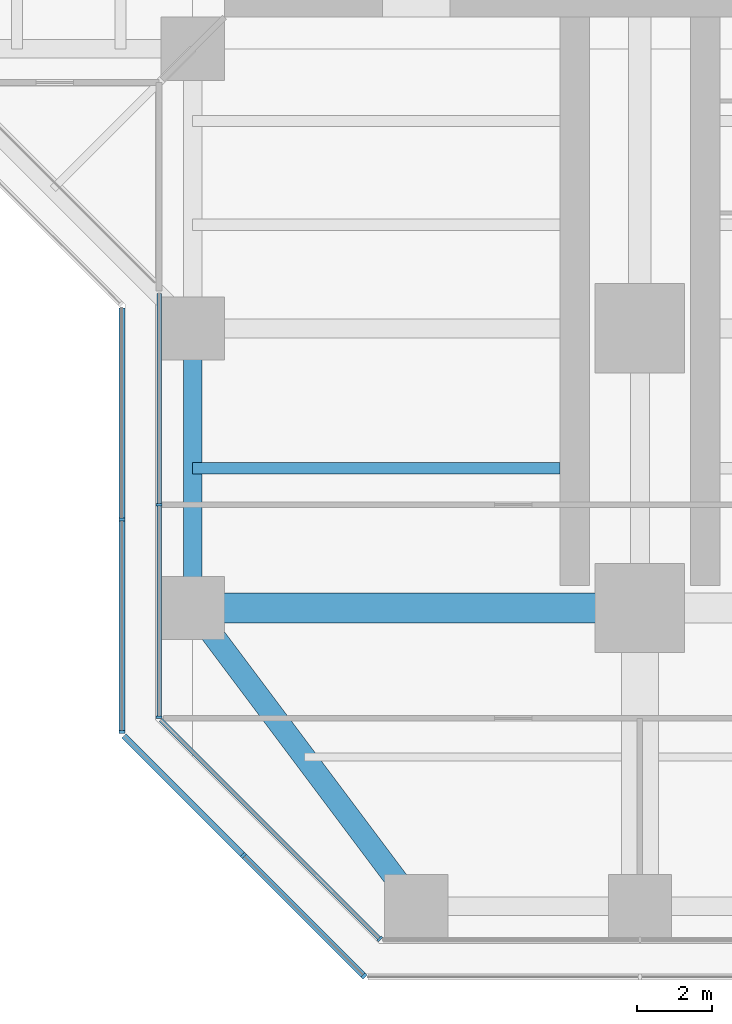
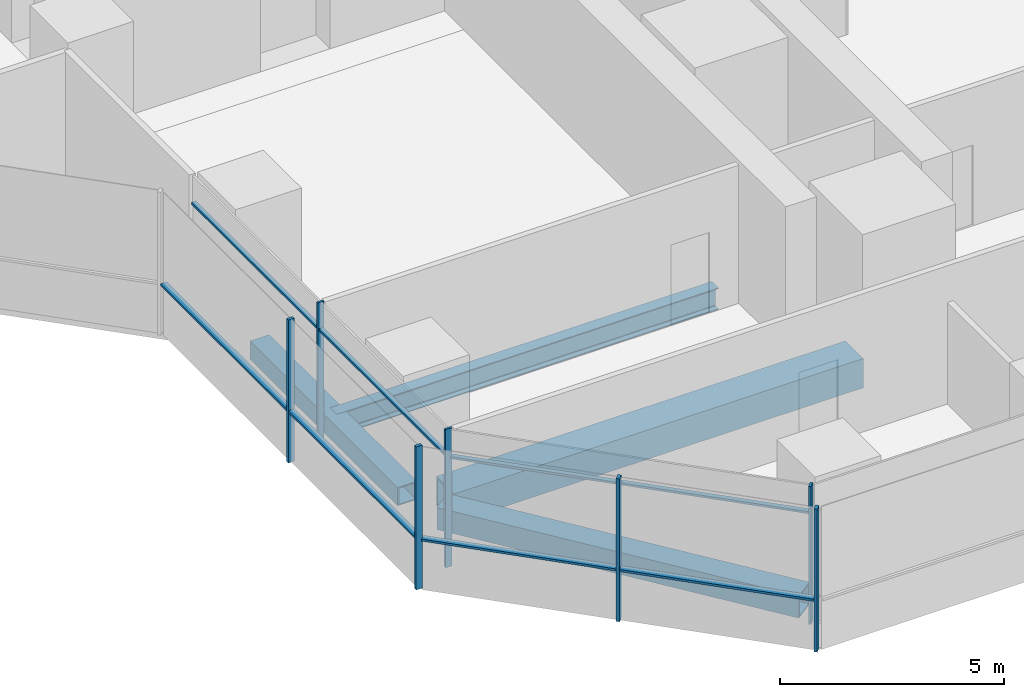
# One storey, part 2 of 22: 14 members, 4 beams, 4 elements without a shape of their own.
"""IFC4 building model written with IfcOpenShell, lengths in metres."""

from ifc_helpers import new_model, si_unit, direction, frame, origin, origin_2d, place, context, subcontext, project, spatial, rectangle, hollow_rectangle, i_section, extrude, material, material_profile, profile_set, type_object, element, aggregate, save


model = new_model("IFC4")

# Units and contexts
model_context = context("Model", 3, precision=1e-05, world=origin(), true_north=direction((0.0, 1.0)))
body_context = subcontext(model_context, "Body", "Model", "MODEL_VIEW")
ifc_project = project(units=[si_unit("LENGTHUNIT", "METRE"), si_unit("AREAUNIT", "SQUARE_METRE"), si_unit("VOLUMEUNIT", "CUBIC_METRE"), si_unit("PLANEANGLEUNIT", "RADIAN"), si_unit("MASSUNIT", "GRAM", prefix="KILO")], contexts=[model_context])

# Site, building, storey
site_placement = place(None, origin())
site = spatial("IfcSite", under=ifc_project, at=site_placement, CompositionType="ELEMENT")
building_placement = place(site_placement, origin())
building = spatial("IfcBuilding", under=site, at=building_placement, Name="Mizan Broadcast Tower", CompositionType="ELEMENT")
storey_placement = place(building_placement, frame((0.0, 0.0, 86.39990234375)))
storey = spatial("IfcBuildingStorey", under=building, at=storey_placement, Name="L18", CompositionType="ELEMENT", Elevation=86.39990234375)

# Beams
ifc_material_1 = material(Name="Steel S355", Category="steel")
ifc_material_profile_1 = material_profile(ifc_material_1, hollow_rectangle(XDim=0.5, YDim=0.5, WallThickness=0.030029296875, at=origin_2d()), Name="BOX 500x500x30")
ifc_profile_set_1 = profile_set([ifc_material_profile_1], Name="Steel S355")
beam_type_1 = type_object("IfcBeamType", Name="EDGE BEAM BOX 500x500x30", PredefinedType="SPANDREL", material=ifc_profile_set_1)
beam_1_placement = place(storey_placement, frame((-12.0, -19.949951171875, -0.3798828125), z_axis=(0.0, -1.0, 0.0), x_axis=(1.0, 0.0, 0.0)))
element("IfcBeam", 1, at=beam_1_placement, inside=storey, type_object=beam_type_1, Name="Edge beam BOX 500x500x30 L18 south arm", PredefinedType="SPANDREL", context=body_context, shape_type="SweptSolid", body=[
    extrude(hollow_rectangle(XDim=0.5, YDim=0.5, WallThickness=0.030029296875, at=origin_2d()), origin(), (0.0, 0.0, 1.0), 6.60009765625),
])
ifc_material_2 = material(Name="Steel S355", Category="steel")
ifc_material_profile_2 = material_profile(ifc_material_2, hollow_rectangle(XDim=0.60009765625, YDim=0.60009765625, WallThickness=0.030029296875, at=origin_2d()), Name="BOX 600x600x30")
ifc_profile_set_2 = profile_set([ifc_material_profile_2], Name="Steel S355")
beam_type_2 = type_object("IfcBeamType", Name="EDGE BEAM BOX 600x600x30", PredefinedType="SPANDREL", material=ifc_profile_set_2)
beam_2_placement = place(storey_placement, frame((-11.639892578125, -27.47998046875, -0.429931640625), z_axis=(0.599982243973, -0.800013316712, 0.0), x_axis=(0.800013316712, 0.599982243973, 0.0)))
element("IfcBeam", 2, at=beam_2_placement, inside=storey, type_object=beam_type_2, Name="Edge beam BOX 600x600x30 L18 south arm", PredefinedType="SPANDREL", context=body_context, shape_type="SweptSolid", body=[
    extrude(hollow_rectangle(XDim=0.60009765625, YDim=0.60009765625, WallThickness=0.030029296875, at=origin_2d()), origin(), (0.0, 0.0, 1.0), 8.7998046875),
])
ifc_material_3 = material(Name="Steel S460", Category="steel")
ifc_material_profile_3 = material_profile(ifc_material_3, hollow_rectangle(XDim=0.800048828125, YDim=0.800048828125, WallThickness=0.050048828125, at=origin_2d()), Name="BOX 800x800x50")
ifc_profile_set_3 = profile_set([ifc_material_profile_3], Name="Steel S460")
beam_type_3 = type_object("IfcBeamType", Name="GIRDER BOX 800x800x50", PredefinedType="BEAM", material=ifc_profile_set_3)
beam_3_placement = place(storey_placement, frame((-11.280029296875, -27.0, -0.52978515625), z_axis=(1.0, 0.0, 0.0), x_axis=(0.0, 1.0, 0.0)))
element("IfcBeam", 3, at=beam_3_placement, inside=storey, type_object=beam_type_3, Name="Girder BOX 800x800x50 L18 south arm", PredefinedType="BEAM", context=body_context, shape_type="SweptSolid", body=[
    extrude(hollow_rectangle(XDim=0.800048828125, YDim=0.800048828125, WallThickness=0.050048828125, at=origin_2d()), origin(), (0.0, 0.0, 1.0), 10.56005859375),
])

# Curtain wall, members
ifc_material_4 = material(Name="Aluminium framed glazing", Category="aluminium")
curtain_wall_type_1 = type_object("IfcCurtainWallType", Name="INNER SKIN LOW ZONE", PredefinedType="USERDEFINED", material=ifc_material_4)
curtain_wall_1_placement = place(storey_placement, origin())
curtain_wall_1 = element("IfcCurtainWall", 4, at=curtain_wall_1_placement, inside=storey, type_object=curtain_wall_type_1, Name="Inner skin low zone L18 S side", ObjectType="INNER SKIN LOW ZONE", PredefinedType="USERDEFINED")
ifc_material_5 = material(Name="Aluminium, pale anodised", Category="aluminium")
ifc_material_profile_4 = material_profile(ifc_material_5, rectangle(XDim=0.159912109375, YDim=0.06005859375, at=origin_2d()), Name="MULLION 160x60")
ifc_profile_set_4 = profile_set([ifc_material_profile_4], Name="Aluminium, pale anodised")
member_type_1 = type_object("IfcMemberType", Name="INNER SKIN MULLION 60x160", PredefinedType="MULLION", material=ifc_profile_set_4)
member_1_placement = place(storey_placement, frame((-12.89990234375, -24.229248046875, 0.0), z_axis=(0.0, 0.0, 1.0), x_axis=(1.0, 0.0, 0.0)))
member_1 = element("IfcMember", 5, at=member_1_placement, type_object=member_type_1, Name="Inner skin low zone L18 S side mullion 2", PredefinedType="MULLION", context=body_context, shape_type="SweptSolid", body=[
    extrude(rectangle(XDim=0.159912109375, YDim=0.06005859375, at=origin_2d()), origin(), (0.0, 0.0, 1.0), 3.77001953125),
])
member_2_placement = place(storey_placement, frame((-12.89990234375, -29.928466796875, 0.0), z_axis=(0.0, 0.0, 1.0), x_axis=(1.0, 0.0, 0.0)))
member_2 = element("IfcMember", 6, at=member_2_placement, type_object=member_type_1, Name="Inner skin low zone L18 S side mullion 3", PredefinedType="MULLION", context=body_context, shape_type="SweptSolid", body=[
    extrude(rectangle(XDim=0.159912109375, YDim=0.06005859375, at=origin_2d()), origin(), (0.0, 0.0, 1.0), 3.77001953125),
])

# Curtain wall, member
curtain_wall_2_placement = place(storey_placement, origin())
curtain_wall_2 = element("IfcCurtainWall", 7, at=curtain_wall_2_placement, inside=storey, type_object=curtain_wall_type_1, Name="Inner skin low zone L18 S chamfer", ObjectType="INNER SKIN LOW ZONE", PredefinedType="USERDEFINED")
member_3_placement = place(storey_placement, frame((-6.979736328125, -35.87890625, 0.0), z_axis=(0.0, 0.0, 1.0), x_axis=(0.707106781187, 0.707106781187, 0.0)))
member_3 = element("IfcMember", 8, at=member_3_placement, type_object=member_type_1, Name="Inner skin low zone L18 S chamfer mullion 2", PredefinedType="MULLION", context=body_context, shape_type="SweptSolid", body=[
    extrude(rectangle(XDim=0.159912109375, YDim=0.06005859375, at=origin_2d()), origin(), (0.0, 0.0, 1.0), 3.77001953125),
])

# Member
ifc_material_6 = material(Name="Aluminium, pale anodised", Category="aluminium")
ifc_material_profile_5 = material_profile(ifc_material_6, rectangle(XDim=0.1201171875, YDim=0.06005859375, at=origin_2d()), Name="TRANSOM 120x60")
ifc_profile_set_5 = profile_set([ifc_material_profile_5], Name="Aluminium, pale anodised")
member_type_2 = type_object("IfcMemberType", Name="INNER SKIN TRANSOM 60x120", PredefinedType="USERDEFINED", material=ifc_profile_set_5)
member_4_placement = place(storey_placement, frame((-12.89990234375, -18.56005859375, 3.030029296875), z_axis=(0.0, -1.0, 0.0), x_axis=(1.0, 0.0, 0.0)))
member_4 = element("IfcMember", 9, at=member_4_placement, type_object=member_type_2, Name="Inner skin low zone L18 S side transom 1.1", ObjectType="TRANSOM", PredefinedType="USERDEFINED", context=body_context, shape_type="SweptSolid", body=[
    extrude(rectangle(XDim=0.1201171875, YDim=0.06005859375, at=origin_2d()), origin(), (0.0, 0.0, 1.0), 5.63916015625),
])

member_5_placement = place(storey_placement, frame((-12.89990234375, -24.25927734375, 3.030029296875), z_axis=(0.0, -1.0, 0.0), x_axis=(1.0, 0.0, 0.0)))
member_5 = element("IfcMember", 10, at=member_5_placement, type_object=member_type_2, Name="Inner skin low zone L18 S side transom 2.1", ObjectType="TRANSOM", PredefinedType="USERDEFINED", context=body_context, shape_type="SweptSolid", body=[
    extrude(rectangle(XDim=0.1201171875, YDim=0.06005859375, at=origin_2d()), origin(), (0.0, 0.0, 1.0), 5.639404296875),
])

aggregate(curtain_wall_1, [member_1, member_2, member_4, member_5])

member_6_placement = place(storey_placement, frame((-12.857666015625, -30.0009765625, 3.030029296875), z_axis=(0.707106781187, -0.707106781187, 0.0), x_axis=(0.707106781187, 0.707106781187, 0.0)))
member_6 = element("IfcMember", 11, at=member_6_placement, type_object=member_type_2, Name="Inner skin low zone L18 S chamfer transom 1.1", ObjectType="TRANSOM", PredefinedType="USERDEFINED", context=body_context, shape_type="SweptSolid", body=[
    extrude(rectangle(XDim=0.1201171875, YDim=0.06005859375, at=origin_2d()), origin(), (0.0, 0.0, 1.0), 8.28271484375),
])

aggregate(curtain_wall_2, [member_3, member_6])

# Curtain wall, members
ifc_material_7 = material(Name="Aluminium framed glazing", Category="aluminium")
curtain_wall_type_2 = type_object("IfcCurtainWallType", Name="OUTER SKIN", PredefinedType="USERDEFINED", material=ifc_material_7)
curtain_wall_3_placement = place(storey_placement, origin())
curtain_wall_3 = element("IfcCurtainWall", 12, at=curtain_wall_3_placement, inside=storey, type_object=curtain_wall_type_2, Name="Outer skin L18 S side", ObjectType="OUTER SKIN", PredefinedType="USERDEFINED")
ifc_material_8 = material(Name="Aluminium, pale anodised", Category="aluminium")
ifc_material_profile_6 = material_profile(ifc_material_8, rectangle(XDim=0.159912109375, YDim=0.080078125, at=origin_2d()), Name="MULLION 160x80")
ifc_profile_set_6 = profile_set([ifc_material_profile_6], Name="Aluminium, pale anodised")
member_type_3 = type_object("IfcMemberType", Name="OUTER SKIN MULLION 80x160", PredefinedType="MULLION", material=ifc_profile_set_6)
member_7_placement = place(storey_placement, frame((-13.89990234375, -24.622802734375, 0.0), z_axis=(0.0, 0.0, 1.0), x_axis=(1.0, 0.0, 0.0)))
member_7 = element("IfcMember", 13, at=member_7_placement, type_object=member_type_3, Name="Outer skin L18 S side mullion 2", PredefinedType="MULLION", context=body_context, shape_type="SweptSolid", body=[
    extrude(rectangle(XDim=0.159912109375, YDim=0.080078125, at=origin_2d()), origin(), (0.0, 0.0, 1.0), 3.900146484375),
])
member_8_placement = place(storey_placement, frame((-13.89990234375, -30.332763671875, 0.0), z_axis=(0.0, 0.0, 1.0), x_axis=(1.0, 0.0, 0.0)))
member_8 = element("IfcMember", 14, at=member_8_placement, type_object=member_type_3, Name="Outer skin L18 S side mullion 3", PredefinedType="MULLION", context=body_context, shape_type="SweptSolid", body=[
    extrude(rectangle(XDim=0.159912109375, YDim=0.080078125, at=origin_2d()), origin(), (0.0, 0.0, 1.0), 3.900146484375),
])

curtain_wall_4_placement = place(storey_placement, origin())
curtain_wall_4 = element("IfcCurtainWall", 15, at=curtain_wall_4_placement, inside=storey, type_object=curtain_wall_type_2, Name="Outer skin L18 S chamfer", ObjectType="OUTER SKIN", PredefinedType="USERDEFINED")
member_9_placement = place(storey_placement, frame((-10.636474609375, -33.636474609375, 0.0), z_axis=(0.0, 0.0, 1.0), x_axis=(0.707106781187, 0.707106781187, 0.0)))
member_9 = element("IfcMember", 16, at=member_9_placement, type_object=member_type_3, Name="Outer skin L18 S chamfer mullion 2", PredefinedType="MULLION", context=body_context, shape_type="SweptSolid", body=[
    extrude(rectangle(XDim=0.159912109375, YDim=0.080078125, at=origin_2d()), origin(), (0.0, 0.0, 1.0), 3.900146484375),
])
member_10_placement = place(storey_placement, frame((-7.401123046875, -36.871826171875, 0.0), z_axis=(0.0, 0.0, 1.0), x_axis=(0.707106781187, 0.707106781187, 0.0)))
member_10 = element("IfcMember", 17, at=member_10_placement, type_object=member_type_3, Name="Outer skin L18 S chamfer mullion 3", PredefinedType="MULLION", context=body_context, shape_type="SweptSolid", body=[
    extrude(rectangle(XDim=0.159912109375, YDim=0.080078125, at=origin_2d()), origin(), (0.0, 0.0, 1.0), 3.900146484375),
])

# Member
ifc_material_9 = material(Name="Aluminium, pale anodised", Category="aluminium")
ifc_material_profile_7 = material_profile(ifc_material_9, rectangle(XDim=0.159912109375, YDim=0.06005859375, at=origin_2d()), Name="TRANSOM 160x60")
ifc_profile_set_7 = profile_set([ifc_material_profile_7], Name="Aluminium, pale anodised")
member_type_4 = type_object("IfcMemberType", Name="OUTER SKIN TRANSOM 60x160", PredefinedType="USERDEFINED", material=ifc_profile_set_7)
member_11_placement = place(storey_placement, frame((-13.89990234375, -18.952880859375, 1.400146484375), z_axis=(0.0, -1.0, 0.0), x_axis=(1.0, 0.0, 0.0)))
member_11 = element("IfcMember", 18, at=member_11_placement, type_object=member_type_4, Name="Outer skin L18 S side transom 1.1", ObjectType="TRANSOM", PredefinedType="USERDEFINED", context=body_context, shape_type="SweptSolid", body=[
    extrude(rectangle(XDim=0.159912109375, YDim=0.06005859375, at=origin_2d()), origin(), (0.0, 0.0, 1.0), 5.6298828125),
])

member_12_placement = place(storey_placement, frame((-13.89990234375, -24.662841796875, 1.400146484375), z_axis=(0.0, -1.0, 0.0), x_axis=(1.0, 0.0, 0.0)))
member_12 = element("IfcMember", 19, at=member_12_placement, type_object=member_type_4, Name="Outer skin L18 S side transom 2.1", ObjectType="TRANSOM", PredefinedType="USERDEFINED", context=body_context, shape_type="SweptSolid", body=[
    extrude(rectangle(XDim=0.159912109375, YDim=0.06005859375, at=origin_2d()), origin(), (0.0, 0.0, 1.0), 5.6298828125),
])

aggregate(curtain_wall_3, [member_7, member_8, member_11, member_12])

member_13_placement = place(storey_placement, frame((-13.843505859375, -30.429443359375, 1.400146484375), z_axis=(0.707106781187, -0.707106781187, 0.0), x_axis=(0.707106781187, 0.707106781187, 0.0)))
member_13 = element("IfcMember", 20, at=member_13_placement, type_object=member_type_4, Name="Outer skin L18 S chamfer transom 1.1", ObjectType="TRANSOM", PredefinedType="USERDEFINED", context=body_context, shape_type="SweptSolid", body=[
    extrude(rectangle(XDim=0.159912109375, YDim=0.06005859375, at=origin_2d()), origin(), (0.0, 0.0, 1.0), 4.495361328125),
])

member_14_placement = place(storey_placement, frame((-10.608154296875, -33.664794921875, 1.400146484375), z_axis=(0.707106781187, -0.707106781187, 0.0), x_axis=(0.707106781187, 0.707106781187, 0.0)))
member_14 = element("IfcMember", 21, at=member_14_placement, type_object=member_type_4, Name="Outer skin L18 S chamfer transom 2.1", ObjectType="TRANSOM", PredefinedType="USERDEFINED", context=body_context, shape_type="SweptSolid", body=[
    extrude(rectangle(XDim=0.159912109375, YDim=0.06005859375, at=origin_2d()), origin(), (0.0, 0.0, 1.0), 4.495361328125),
])

aggregate(curtain_wall_4, [member_9, member_10, member_13, member_14])

# Beam
ifc_material_10 = material(Name="Steel S355", Category="steel")
ifc_material_profile_8 = material_profile(ifc_material_10, i_section(OverallWidth=0.300048828125, OverallDepth=0.590087890625, WebThickness=0.012939453125, FlangeThickness=0.02490234375, FilletRadius=0.027099609375, at=origin_2d()), Name="HEA 600")
ifc_profile_set_8 = profile_set([ifc_material_profile_8], Name="Steel S355")
beam_type_4 = type_object("IfcBeamType", Name="SECONDARY BEAM HEA 600", PredefinedType="JOIST", material=ifc_profile_set_8)
beam_4_placement = place(storey_placement, frame((-12.0, -23.25, -0.4248046875), z_axis=(1.0, 0.0, 0.0), x_axis=(0.0, 1.0, 0.0)))
element("IfcBeam", 22, at=beam_4_placement, inside=storey, type_object=beam_type_4, Name="Secondary beam HEA 600 L18 south arm", PredefinedType="JOIST", context=body_context, shape_type="SweptSolid", body=[
    extrude(i_section(OverallWidth=0.300048828125, OverallDepth=0.590087890625, WebThickness=0.012939453125, FlangeThickness=0.02490234375, FilletRadius=0.027099609375, at=origin_2d()), origin(), (0.0, 0.0, 1.0), 9.85009765625),
])

save(model, "model.ifc")
